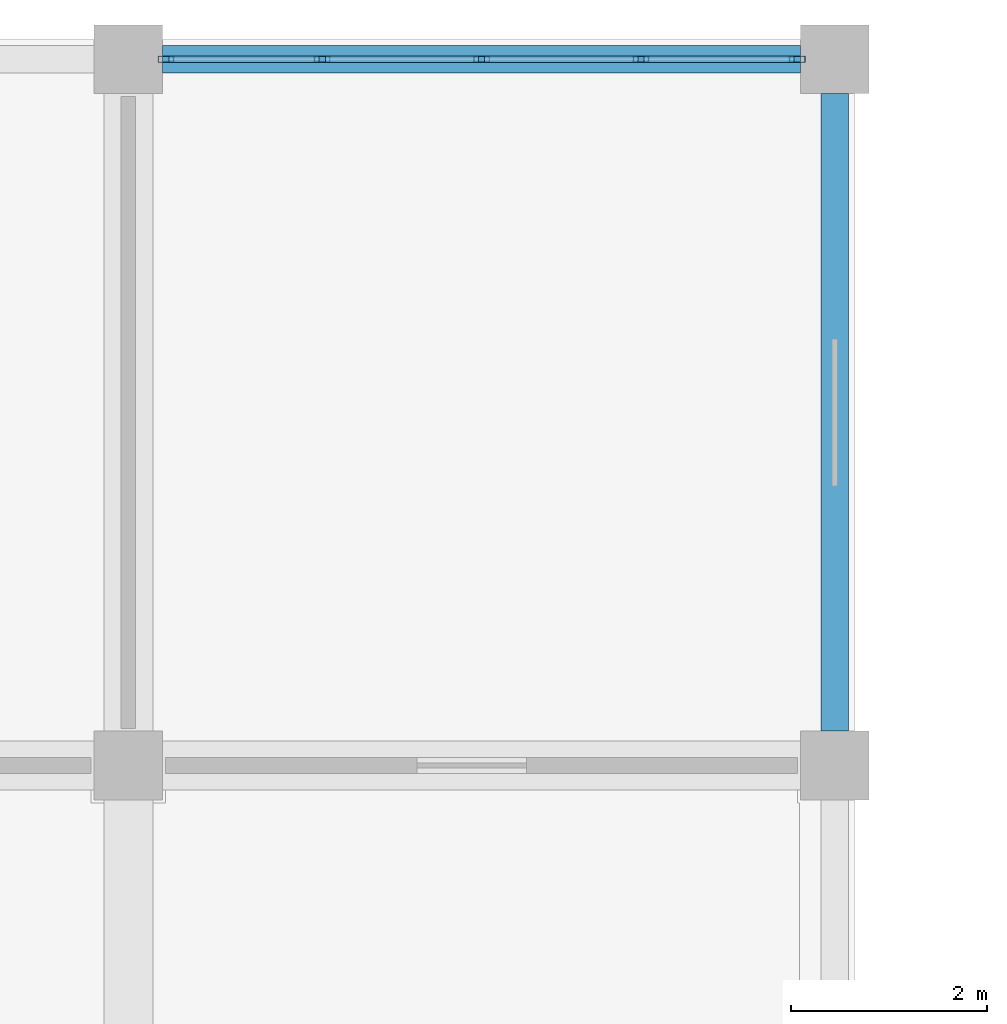
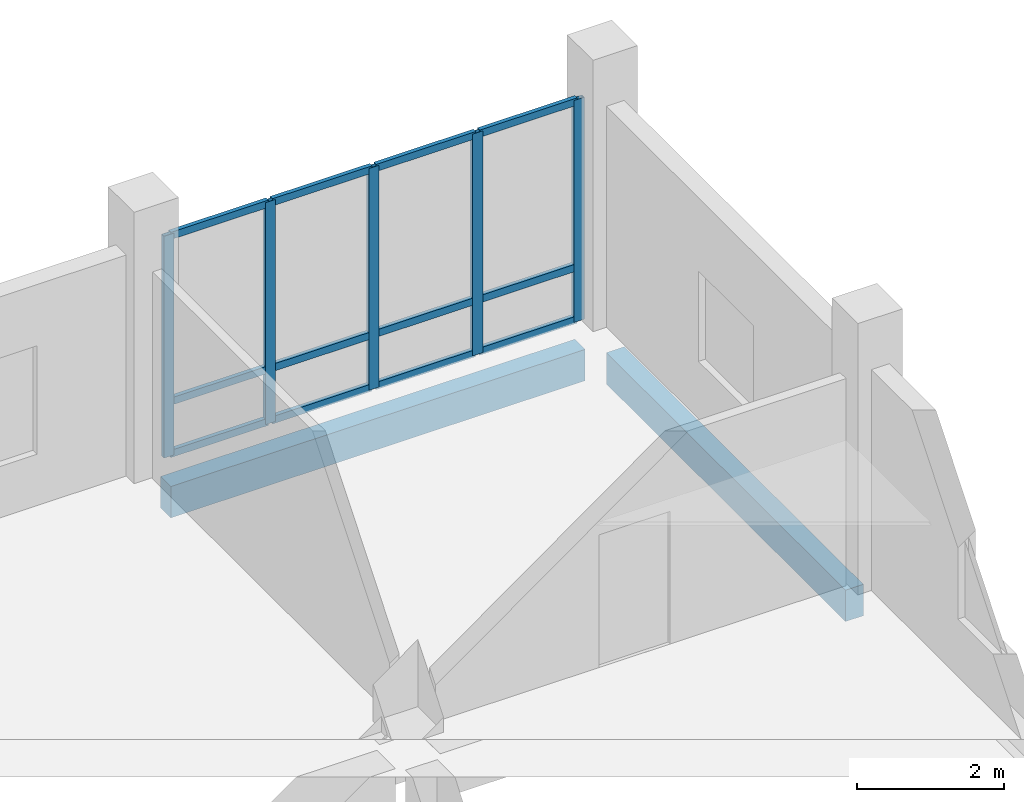
# One storey, part 100 of 139: 17 members, 2 beams, 1 element without a shape of its own.
"""IFC4 building model written with IfcOpenShell, lengths in metres."""

from ifc_helpers import new_model, si_unit, direction, frame, origin, origin_2d, place, context, subcontext, project, spatial, rectangle, hollow_rectangle, extrude, material, material_profile, profile_set, type_object, element, aggregate, save


model = new_model("IFC4")

# Units and contexts
model_context = context("Model", 3, precision=1e-05, world=origin(), true_north=direction((0.0, 1.0)))
body_context = subcontext(model_context, "Body", "Model", "MODEL_VIEW")
ifc_project = project(units=[si_unit("LENGTHUNIT", "METRE"), si_unit("AREAUNIT", "SQUARE_METRE"), si_unit("VOLUMEUNIT", "CUBIC_METRE"), si_unit("PLANEANGLEUNIT", "RADIAN"), si_unit("MASSUNIT", "GRAM", prefix="KILO")], contexts=[model_context])

# Site, building, storey
site_placement = place(None, origin())
site = spatial("IfcSite", under=ifc_project, at=site_placement, CompositionType="ELEMENT")
building_placement = place(site_placement, origin())
building = spatial("IfcBuilding", under=site, at=building_placement, Name="Suanplinth Sawtooth Commons", CompositionType="ELEMENT")
storey_placement = place(building_placement, origin())
storey = spatial("IfcBuildingStorey", under=building, at=storey_placement, Name="L00", CompositionType="ELEMENT", Elevation=0.0)

# Beams
ifc_material_1 = material(Name="Precast concrete C40/50", Category="concrete")
ifc_material_profile_1 = material_profile(ifc_material_1, rectangle(XDim=0.280029296875, YDim=0.52001953125, at=origin_2d()), Name="PC-SP 280x520")
ifc_profile_set_1 = profile_set([ifc_material_profile_1], Name="Precast concrete C40/50")
beam_type = type_object("IfcBeamType", Name="B-08", PredefinedType="SPANDREL", material=ifc_profile_set_1)
for number, where, z_axis, x_axis, name in (
    (1, (180.35009765625, 122.39990234375, -0.679931640625), (1.0, 0.0, 0.0), (0.0, 1.0, 0.0), "BMX-L00-B-25-17"),
    (2, (187.199951171875, 115.550048828125, -0.679931640625), (0.0, 1.0, 0.0), (-1.0, 0.0, 0.0), "BMY-L00-B-26-16"),
):
    element("IfcBeam", number, at=place(storey_placement, frame(where, z_axis=z_axis, x_axis=x_axis)), inside=storey, type_object=beam_type, Name=name, PredefinedType="SPANDREL", context=body_context, shape_type="SweptSolid", body=[
        extrude(rectangle(XDim=0.280029296875, YDim=0.52001953125, at=origin_2d()), origin(), (0.0, 0.0, 1.0), 6.5),
    ])

# Curtain wall, members
ifc_material_2 = material(Name="Anodized aluminium and low-E glazing", Category="aluminium")
curtain_wall_type = type_object("IfcCurtainWallType", Name="CW-04", PredefinedType="USERDEFINED", material=ifc_material_2)
curtain_wall_placement = place(storey_placement, origin())
curtain_wall = element("IfcCurtainWall", 3, at=curtain_wall_placement, inside=storey, type_object=curtain_wall_type, Name="Curtain Wall CW-L00-B-N-25", ObjectType="CURTAIN WALL", PredefinedType="USERDEFINED")
ifc_material_3 = material(Name="Anodized aluminium 6063-T6", Category="aluminium")
ifc_material_profile_2 = material_profile(ifc_material_3, hollow_rectangle(XDim=0.06494140625, YDim=0.159912109375, WallThickness=0.00390625, at=origin_2d()), Name="ALU-MUL 65x160")
ifc_profile_set_2 = profile_set([ifc_material_profile_2], Name="Anodized aluminium 6063-T6")
member_type_1 = type_object("IfcMemberType", Name="M-13", PredefinedType="MULLION", material=ifc_profile_set_2)
member_1_placement = place(storey_placement, frame((180.382568359375, 122.39990234375, 0.0), z_axis=(0.0, 0.0, 1.0), x_axis=(0.0, 1.0, 0.0)))
member_1 = element("IfcMember", 4, at=member_1_placement, type_object=member_type_1, Name="CW-04 mullion 1", PredefinedType="MULLION", context=body_context, shape_type="SweptSolid", body=[
    extrude(hollow_rectangle(XDim=0.06494140625, YDim=0.159912109375, WallThickness=0.00390625, at=origin_2d()), origin(), (0.0, 0.0, 1.0), 3.679931640625),
])
member_2_placement = place(storey_placement, frame((181.97509765625, 122.39990234375, 0.0), z_axis=(0.0, 0.0, 1.0), x_axis=(0.0, 1.0, 0.0)))
member_2 = element("IfcMember", 5, at=member_2_placement, type_object=member_type_1, Name="CW-04 mullion 2", PredefinedType="MULLION", context=body_context, shape_type="SweptSolid", body=[
    extrude(hollow_rectangle(XDim=0.06494140625, YDim=0.159912109375, WallThickness=0.00390625, at=origin_2d()), origin(), (0.0, 0.0, 1.0), 3.679931640625),
])
member_3_placement = place(storey_placement, frame((183.60009765625, 122.39990234375, 0.0), z_axis=(0.0, 0.0, 1.0), x_axis=(0.0, 1.0, 0.0)))
member_3 = element("IfcMember", 6, at=member_3_placement, type_object=member_type_1, Name="CW-04 mullion 3", PredefinedType="MULLION", context=body_context, shape_type="SweptSolid", body=[
    extrude(hollow_rectangle(XDim=0.06494140625, YDim=0.159912109375, WallThickness=0.00390625, at=origin_2d()), origin(), (0.0, 0.0, 1.0), 3.679931640625),
])
member_4_placement = place(storey_placement, frame((185.22509765625, 122.39990234375, 0.0), z_axis=(0.0, 0.0, 1.0), x_axis=(0.0, 1.0, 0.0)))
member_4 = element("IfcMember", 7, at=member_4_placement, type_object=member_type_1, Name="CW-04 mullion 4", PredefinedType="MULLION", context=body_context, shape_type="SweptSolid", body=[
    extrude(hollow_rectangle(XDim=0.06494140625, YDim=0.159912109375, WallThickness=0.00390625, at=origin_2d()), origin(), (0.0, 0.0, 1.0), 3.679931640625),
])
member_5_placement = place(storey_placement, frame((186.8173828125, 122.39990234375, 0.0), z_axis=(0.0, 0.0, 1.0), x_axis=(0.0, 1.0, 0.0)))
member_5 = element("IfcMember", 8, at=member_5_placement, type_object=member_type_1, Name="CW-04 mullion 5", PredefinedType="MULLION", context=body_context, shape_type="SweptSolid", body=[
    extrude(hollow_rectangle(XDim=0.06494140625, YDim=0.159912109375, WallThickness=0.00390625, at=origin_2d()), origin(), (0.0, 0.0, 1.0), 3.679931640625),
])
ifc_material_profile_3 = material_profile(ifc_material_3, hollow_rectangle(XDim=0.06494140625, YDim=0.1201171875, WallThickness=0.00390625, at=origin_2d()), Name="ALU-TRN 65x120")
ifc_profile_set_3 = profile_set([ifc_material_profile_3], Name="Anodized aluminium 6063-T6")
member_type_2 = type_object("IfcMemberType", Name="M-15", PredefinedType="USERDEFINED", material=ifc_profile_set_3)
member_6_placement = place(storey_placement, frame((180.4150390625, 122.39990234375, 0.032470703125), z_axis=(1.0, 0.0, 0.0), x_axis=(0.0, 1.0, 0.0)))
member_6 = element("IfcMember", 9, at=member_6_placement, type_object=member_type_2, Name="CW-04 transom 1.1", ObjectType="TRANSOM", PredefinedType="USERDEFINED", context=body_context, shape_type="SweptSolid", body=[
    extrude(hollow_rectangle(XDim=0.06494140625, YDim=0.1201171875, WallThickness=0.00390625, at=origin_2d()), origin(), (0.0, 0.0, 1.0), 1.52734375),
])
member_7_placement = place(storey_placement, frame((180.4150390625, 122.39990234375, 0.89990234375), z_axis=(1.0, 0.0, 0.0), x_axis=(0.0, 1.0, 0.0)))
member_7 = element("IfcMember", 10, at=member_7_placement, type_object=member_type_2, Name="CW-04 transom 1.2", ObjectType="TRANSOM", PredefinedType="USERDEFINED", context=body_context, shape_type="SweptSolid", body=[
    extrude(hollow_rectangle(XDim=0.06494140625, YDim=0.1201171875, WallThickness=0.00390625, at=origin_2d()), origin(), (0.0, 0.0, 1.0), 1.52734375),
])
member_8_placement = place(storey_placement, frame((180.4150390625, 122.39990234375, 3.6474609375), z_axis=(1.0, 0.0, 0.0), x_axis=(0.0, 1.0, 0.0)))
member_8 = element("IfcMember", 11, at=member_8_placement, type_object=member_type_2, Name="CW-04 transom 1.3", ObjectType="TRANSOM", PredefinedType="USERDEFINED", context=body_context, shape_type="SweptSolid", body=[
    extrude(hollow_rectangle(XDim=0.06494140625, YDim=0.1201171875, WallThickness=0.00390625, at=origin_2d()), origin(), (0.0, 0.0, 1.0), 1.52734375),
])
member_9_placement = place(storey_placement, frame((182.007568359375, 122.39990234375, 0.032470703125), z_axis=(1.0, 0.0, 0.0), x_axis=(0.0, 1.0, 0.0)))
member_9 = element("IfcMember", 12, at=member_9_placement, type_object=member_type_2, Name="CW-04 transom 2.1", ObjectType="TRANSOM", PredefinedType="USERDEFINED", context=body_context, shape_type="SweptSolid", body=[
    extrude(hollow_rectangle(XDim=0.06494140625, YDim=0.1201171875, WallThickness=0.00390625, at=origin_2d()), origin(), (0.0, 0.0, 1.0), 1.559814453125),
])
member_10_placement = place(storey_placement, frame((182.007568359375, 122.39990234375, 0.89990234375), z_axis=(1.0, 0.0, 0.0), x_axis=(0.0, 1.0, 0.0)))
member_10 = element("IfcMember", 13, at=member_10_placement, type_object=member_type_2, Name="CW-04 transom 2.2", ObjectType="TRANSOM", PredefinedType="USERDEFINED", context=body_context, shape_type="SweptSolid", body=[
    extrude(hollow_rectangle(XDim=0.06494140625, YDim=0.1201171875, WallThickness=0.00390625, at=origin_2d()), origin(), (0.0, 0.0, 1.0), 1.559814453125),
])
member_11_placement = place(storey_placement, frame((182.007568359375, 122.39990234375, 3.6474609375), z_axis=(1.0, 0.0, 0.0), x_axis=(0.0, 1.0, 0.0)))
member_11 = element("IfcMember", 14, at=member_11_placement, type_object=member_type_2, Name="CW-04 transom 2.3", ObjectType="TRANSOM", PredefinedType="USERDEFINED", context=body_context, shape_type="SweptSolid", body=[
    extrude(hollow_rectangle(XDim=0.06494140625, YDim=0.1201171875, WallThickness=0.00390625, at=origin_2d()), origin(), (0.0, 0.0, 1.0), 1.559814453125),
])
member_12_placement = place(storey_placement, frame((183.632568359375, 122.39990234375, 0.032470703125), z_axis=(1.0, 0.0, 0.0), x_axis=(0.0, 1.0, 0.0)))
member_12 = element("IfcMember", 15, at=member_12_placement, type_object=member_type_2, Name="CW-04 transom 3.1", ObjectType="TRANSOM", PredefinedType="USERDEFINED", context=body_context, shape_type="SweptSolid", body=[
    extrude(hollow_rectangle(XDim=0.06494140625, YDim=0.1201171875, WallThickness=0.00390625, at=origin_2d()), origin(), (0.0, 0.0, 1.0), 1.559814453125),
])
member_13_placement = place(storey_placement, frame((183.632568359375, 122.39990234375, 0.89990234375), z_axis=(1.0, 0.0, 0.0), x_axis=(0.0, 1.0, 0.0)))
member_13 = element("IfcMember", 16, at=member_13_placement, type_object=member_type_2, Name="CW-04 transom 3.2", ObjectType="TRANSOM", PredefinedType="USERDEFINED", context=body_context, shape_type="SweptSolid", body=[
    extrude(hollow_rectangle(XDim=0.06494140625, YDim=0.1201171875, WallThickness=0.00390625, at=origin_2d()), origin(), (0.0, 0.0, 1.0), 1.559814453125),
])
member_14_placement = place(storey_placement, frame((183.632568359375, 122.39990234375, 3.6474609375), z_axis=(1.0, 0.0, 0.0), x_axis=(0.0, 1.0, 0.0)))
member_14 = element("IfcMember", 17, at=member_14_placement, type_object=member_type_2, Name="CW-04 transom 3.3", ObjectType="TRANSOM", PredefinedType="USERDEFINED", context=body_context, shape_type="SweptSolid", body=[
    extrude(hollow_rectangle(XDim=0.06494140625, YDim=0.1201171875, WallThickness=0.00390625, at=origin_2d()), origin(), (0.0, 0.0, 1.0), 1.559814453125),
])
member_15_placement = place(storey_placement, frame((185.257568359375, 122.39990234375, 0.032470703125), z_axis=(1.0, 0.0, 0.0), x_axis=(0.0, 1.0, 0.0)))
member_15 = element("IfcMember", 18, at=member_15_placement, type_object=member_type_2, Name="CW-04 transom 4.1", ObjectType="TRANSOM", PredefinedType="USERDEFINED", context=body_context, shape_type="SweptSolid", body=[
    extrude(hollow_rectangle(XDim=0.06494140625, YDim=0.1201171875, WallThickness=0.00390625, at=origin_2d()), origin(), (0.0, 0.0, 1.0), 1.52734375),
])
member_16_placement = place(storey_placement, frame((185.257568359375, 122.39990234375, 0.89990234375), z_axis=(1.0, 0.0, 0.0), x_axis=(0.0, 1.0, 0.0)))
member_16 = element("IfcMember", 19, at=member_16_placement, type_object=member_type_2, Name="CW-04 transom 4.2", ObjectType="TRANSOM", PredefinedType="USERDEFINED", context=body_context, shape_type="SweptSolid", body=[
    extrude(hollow_rectangle(XDim=0.06494140625, YDim=0.1201171875, WallThickness=0.00390625, at=origin_2d()), origin(), (0.0, 0.0, 1.0), 1.52734375),
])
member_17_placement = place(storey_placement, frame((185.257568359375, 122.39990234375, 3.6474609375), z_axis=(1.0, 0.0, 0.0), x_axis=(0.0, 1.0, 0.0)))
member_17 = element("IfcMember", 20, at=member_17_placement, type_object=member_type_2, Name="CW-04 transom 4.3", ObjectType="TRANSOM", PredefinedType="USERDEFINED", context=body_context, shape_type="SweptSolid", body=[
    extrude(hollow_rectangle(XDim=0.06494140625, YDim=0.1201171875, WallThickness=0.00390625, at=origin_2d()), origin(), (0.0, 0.0, 1.0), 1.52734375),
])
aggregate(curtain_wall, [member_1, member_2, member_3, member_4, member_5, member_6, member_7, member_8, member_9, member_10, member_11, member_12, member_13, member_14, member_15, member_16, member_17])

save(model, "model.ifc")
